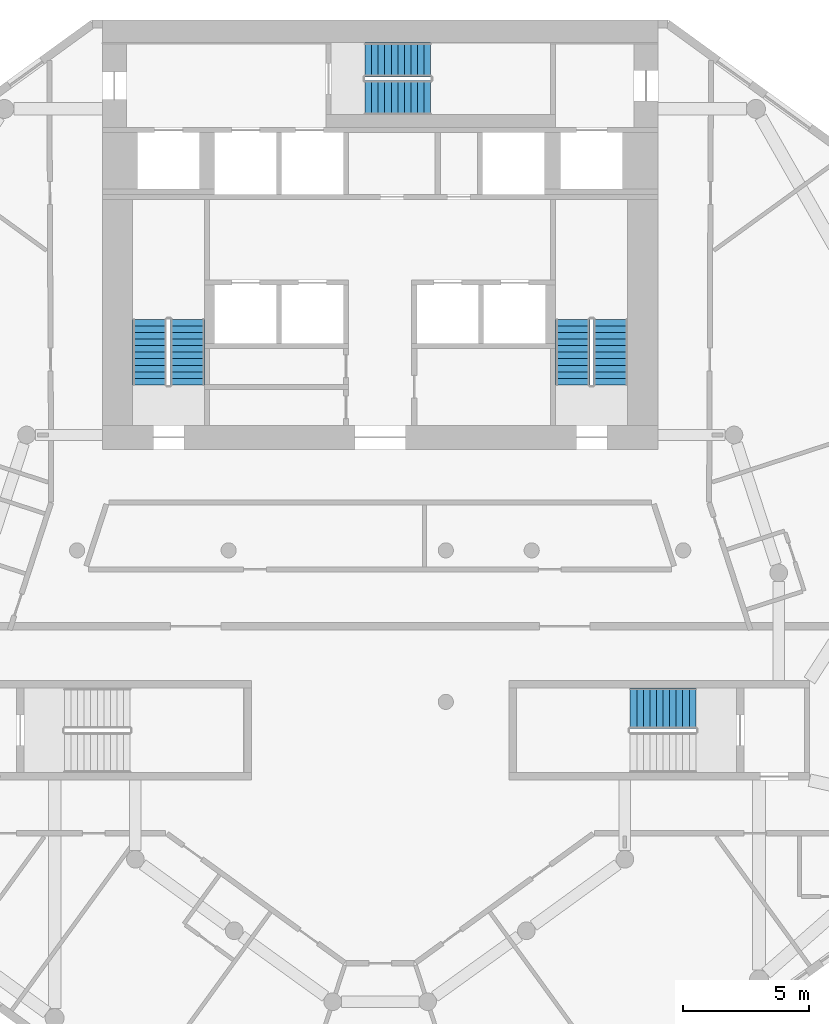
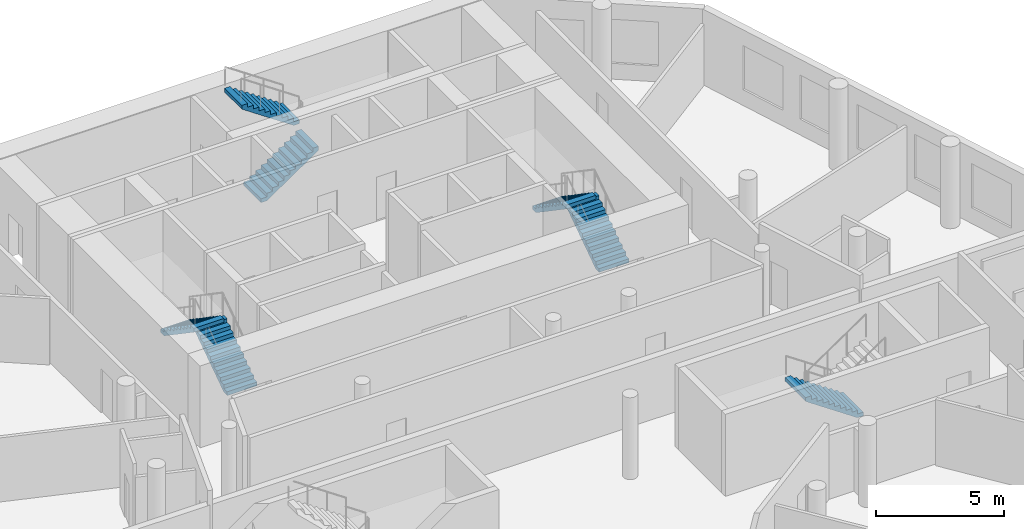
# One storey, part 7 of 9: 7 stair flights, 4 elements without a shape of their own.
"""IFC4 building model written with IfcOpenShell, lengths in metres."""

from ifc_helpers import new_model, si_unit, direction, frame, origin, place, context, subcontext, project, spatial, polyline, outline, extrude, material, layer, layer_set, type_object, element, aggregate, save


model = new_model("IFC4")

# Units and contexts
model_context = context("Model", 3, precision=1e-05, world=origin(), true_north=direction((0.0, 1.0)))
body_context = subcontext(model_context, "Body", "Model", "MODEL_VIEW")
ifc_project = project(units=[si_unit("LENGTHUNIT", "METRE"), si_unit("AREAUNIT", "SQUARE_METRE"), si_unit("VOLUMEUNIT", "CUBIC_METRE"), si_unit("PLANEANGLEUNIT", "RADIAN"), si_unit("MASSUNIT", "GRAM", prefix="KILO")], contexts=[model_context])

# Site, building, storey
site_placement = place(None, origin())
site = spatial("IfcSite", under=ifc_project, at=site_placement, CompositionType="ELEMENT")
building_placement = place(site_placement, origin())
building = spatial("IfcBuilding", under=site, at=building_placement, Name="White Candle Pilgrim Tower", CompositionType="ELEMENT")
storey_placement = place(building_placement, frame((0.0, 0.0, 179.800048828125)))
storey = spatial("IfcBuildingStorey", under=building, at=storey_placement, Name="L41", CompositionType="ELEMENT", Elevation=179.800048828125)

# Stair, stair flights
ifc_material = material(Name="Concrete C40/50", Category="concrete")
stair_type_1 = type_object("IfcStairType", Name="Exit stair 1 flight width 1350 mm", PredefinedType="HALF_TURN_STAIR", material=ifc_material)
stair_1_placement = place(storey_placement, origin())
stair_1 = element("IfcStair", 1, at=stair_1_placement, inside=storey, type_object=stair_type_1, Name="L41 stair 1", PredefinedType="NOTDEFINED")
ifc_layer = layer(ifc_material, 0.14990234375)
ifc_layer_set = layer_set([ifc_layer], Name="Stair flight Concrete C40/50")
stair_flight_type = type_object("IfcStairFlightType", Name="Stair flight Concrete C40/50", PredefinedType="STRAIGHT", material=ifc_layer_set)
stair_flight_1_placement = place(storey_placement, frame((62.375, 73.550048828125, 0.0), z_axis=(0.0, 0.0, 1.0), x_axis=(0.0, 1.0, 0.0)))
stair_flight_1 = element("IfcStairFlight", 2, at=stair_flight_1_placement, type_object=stair_flight_type, Name="ST1 flight 1", NumberOfRisers=11, NumberOfTreads=10, PredefinedType="NOTDEFINED", RiserHeight=0.177272727, TreadLength=0.26, context=body_context, shape_type="SweptSolid", body=[
    extrude(outline(polyline([(0.0, 0.0), (0.0, 0.17724609375), (0.260009765625, 0.17724609375), (0.260009765625, 0.3544921875), (0.52001953125, 0.3544921875), (0.52001953125, 0.53173828125), (0.780029296875, 0.53173828125), (0.780029296875, 0.708984375), (1.0400390625, 0.708984375), (1.0400390625, 0.886474609375), (1.300048828125, 0.886474609375), (1.300048828125, 1.063720703125), (1.56005859375, 1.063720703125), (1.56005859375, 1.240966796875), (1.820068359375, 1.240966796875), (1.820068359375, 1.418212890625), (2.080078125, 1.418212890625), (2.080078125, 1.595458984375), (2.340087890625, 1.595458984375), (2.340087890625, 1.772705078125), (2.60009765625, 1.772705078125), (2.60009765625, 1.949951171875), (2.60009765625, 1.59130859375), (0.26611328125, 0.0), (0.0, 0.0)])), frame((0.0, 0.675048828125, 0.0), z_axis=(0.0, -1.0, 0.0), x_axis=(1.0, 0.0, 0.0)), (0.0, 0.0, 1.0), 1.35009765625),
])
stair_flight_2_placement = place(storey_placement, frame((60.875, 76.14990234375, 1.949951171875), z_axis=(0.0, 0.0, 1.0), x_axis=(0.0, -1.0, 0.0)))
stair_flight_2 = element("IfcStairFlight", 3, at=stair_flight_2_placement, type_object=stair_flight_type, Name="ST1 flight 2", NumberOfRisers=11, NumberOfTreads=10, PredefinedType="NOTDEFINED", RiserHeight=0.177272727, TreadLength=0.26, context=body_context, shape_type="SweptSolid", body=[
    extrude(outline(polyline([(0.0, 0.0), (0.0, 0.17724609375), (0.260009765625, 0.17724609375), (0.260009765625, 0.3544921875), (0.52001953125, 0.3544921875), (0.52001953125, 0.53173828125), (0.780029296875, 0.53173828125), (0.780029296875, 0.708984375), (1.0400390625, 0.708984375), (1.0400390625, 0.886474609375), (1.300048828125, 0.886474609375), (1.300048828125, 1.063720703125), (1.56005859375, 1.063720703125), (1.56005859375, 1.240966796875), (1.820068359375, 1.240966796875), (1.820068359375, 1.418212890625), (2.080078125, 1.418212890625), (2.080078125, 1.595458984375), (2.340087890625, 1.595458984375), (2.340087890625, 1.772705078125), (2.60009765625, 1.772705078125), (2.60009765625, 1.949951171875), (2.60009765625, 1.59130859375), (0.26611328125, 0.0), (0.0, 0.0)])), frame((0.0, 0.675048828125, 0.0), z_axis=(0.0, -1.0, 0.0), x_axis=(1.0, 0.0, 0.0)), (0.0, 0.0, 1.0), 1.35009765625),
])
aggregate(stair_1, [stair_flight_1, stair_flight_2])

stair_type_2 = type_object("IfcStairType", Name="Exit stair 2 flight width 1350 mm", PredefinedType="HALF_TURN_STAIR", material=ifc_material)
stair_2_placement = place(storey_placement, origin())
stair_2 = element("IfcStair", 4, at=stair_2_placement, inside=storey, type_object=stair_type_2, Name="L41 stair 2", PredefinedType="NOTDEFINED")
stair_flight_3_placement = place(storey_placement, frame((79.125, 73.550048828125, 0.0), z_axis=(0.0, 0.0, 1.0), x_axis=(0.0, 1.0, 0.0)))
stair_flight_3 = element("IfcStairFlight", 5, at=stair_flight_3_placement, type_object=stair_flight_type, Name="ST2 flight 1", NumberOfRisers=11, NumberOfTreads=10, PredefinedType="NOTDEFINED", RiserHeight=0.177272727, TreadLength=0.26, context=body_context, shape_type="SweptSolid", body=[
    extrude(outline(polyline([(0.0, 0.0), (0.0, 0.17724609375), (0.260009765625, 0.17724609375), (0.260009765625, 0.3544921875), (0.52001953125, 0.3544921875), (0.52001953125, 0.53173828125), (0.780029296875, 0.53173828125), (0.780029296875, 0.708984375), (1.0400390625, 0.708984375), (1.0400390625, 0.886474609375), (1.300048828125, 0.886474609375), (1.300048828125, 1.063720703125), (1.56005859375, 1.063720703125), (1.56005859375, 1.240966796875), (1.820068359375, 1.240966796875), (1.820068359375, 1.418212890625), (2.080078125, 1.418212890625), (2.080078125, 1.595458984375), (2.340087890625, 1.595458984375), (2.340087890625, 1.772705078125), (2.60009765625, 1.772705078125), (2.60009765625, 1.949951171875), (2.60009765625, 1.59130859375), (0.26611328125, 0.0), (0.0, 0.0)])), frame((0.0, 0.675048828125, 0.0), z_axis=(0.0, -1.0, 0.0), x_axis=(1.0, 0.0, 0.0)), (0.0, 0.0, 1.0), 1.35009765625),
])
stair_flight_4_placement = place(storey_placement, frame((77.625, 76.14990234375, 1.949951171875), z_axis=(0.0, 0.0, 1.0), x_axis=(0.0, -1.0, 0.0)))
stair_flight_4 = element("IfcStairFlight", 6, at=stair_flight_4_placement, type_object=stair_flight_type, Name="ST2 flight 2", NumberOfRisers=11, NumberOfTreads=10, PredefinedType="NOTDEFINED", RiserHeight=0.177272727, TreadLength=0.26, context=body_context, shape_type="SweptSolid", body=[
    extrude(outline(polyline([(0.0, 0.0), (0.0, 0.17724609375), (0.260009765625, 0.17724609375), (0.260009765625, 0.3544921875), (0.52001953125, 0.3544921875), (0.52001953125, 0.53173828125), (0.780029296875, 0.53173828125), (0.780029296875, 0.708984375), (1.0400390625, 0.708984375), (1.0400390625, 0.886474609375), (1.300048828125, 0.886474609375), (1.300048828125, 1.063720703125), (1.56005859375, 1.063720703125), (1.56005859375, 1.240966796875), (1.820068359375, 1.240966796875), (1.820068359375, 1.418212890625), (2.080078125, 1.418212890625), (2.080078125, 1.595458984375), (2.340087890625, 1.595458984375), (2.340087890625, 1.772705078125), (2.60009765625, 1.772705078125), (2.60009765625, 1.949951171875), (2.60009765625, 1.59130859375), (0.26611328125, 0.0), (0.0, 0.0)])), frame((0.0, 0.675048828125, 0.0), z_axis=(0.0, -1.0, 0.0), x_axis=(1.0, 0.0, 0.0)), (0.0, 0.0, 1.0), 1.35009765625),
])
aggregate(stair_2, [stair_flight_3, stair_flight_4])

stair_type_3 = type_object("IfcStairType", Name="Exit stair 3 flight width 1350 mm", PredefinedType="HALF_TURN_STAIR", material=ifc_material)
stair_3_placement = place(storey_placement, origin())
stair_3 = element("IfcStair", 7, at=stair_3_placement, inside=storey, type_object=stair_type_3, Name="L41 stair 3", PredefinedType="NOTDEFINED")
stair_flight_5_placement = place(storey_placement, frame((69.39990234375, 84.925048828125, 0.0), z_axis=(0.0, 0.0, 1.0), x_axis=(1.0, 0.0, 0.0)))
stair_flight_5 = element("IfcStairFlight", 8, at=stair_flight_5_placement, type_object=stair_flight_type, Name="ST3 flight 1", NumberOfRisers=11, NumberOfTreads=10, PredefinedType="NOTDEFINED", RiserHeight=0.177272727, TreadLength=0.26, context=body_context, shape_type="SweptSolid", body=[
    extrude(outline(polyline([(0.0, 0.0), (0.0, 0.17724609375), (0.260009765625, 0.17724609375), (0.260009765625, 0.3544921875), (0.52001953125, 0.3544921875), (0.52001953125, 0.53173828125), (0.780029296875, 0.53173828125), (0.780029296875, 0.708984375), (1.0400390625, 0.708984375), (1.0400390625, 0.886474609375), (1.300048828125, 0.886474609375), (1.300048828125, 1.063720703125), (1.56005859375, 1.063720703125), (1.56005859375, 1.240966796875), (1.820068359375, 1.240966796875), (1.820068359375, 1.418212890625), (2.080078125, 1.418212890625), (2.080078125, 1.595458984375), (2.340087890625, 1.595458984375), (2.340087890625, 1.772705078125), (2.60009765625, 1.772705078125), (2.60009765625, 1.949951171875), (2.60009765625, 1.59130859375), (0.26611328125, 0.0), (0.0, 0.0)])), frame((0.0, 0.675048828125, 0.0), z_axis=(0.0, -1.0, 0.0), x_axis=(1.0, 0.0, 0.0)), (0.0, 0.0, 1.0), 1.35009765625),
])
stair_flight_6_placement = place(storey_placement, frame((72.0, 86.425048828125, 1.949951171875), z_axis=(0.0, 0.0, 1.0), x_axis=(-1.0, 0.0, 0.0)))
stair_flight_6 = element("IfcStairFlight", 9, at=stair_flight_6_placement, type_object=stair_flight_type, Name="ST3 flight 2", NumberOfRisers=11, NumberOfTreads=10, PredefinedType="NOTDEFINED", RiserHeight=0.177272727, TreadLength=0.26, context=body_context, shape_type="SweptSolid", body=[
    extrude(outline(polyline([(0.0, 0.0), (0.0, 0.17724609375), (0.260009765625, 0.17724609375), (0.260009765625, 0.3544921875), (0.52001953125, 0.3544921875), (0.52001953125, 0.53173828125), (0.780029296875, 0.53173828125), (0.780029296875, 0.708984375), (1.0400390625, 0.708984375), (1.0400390625, 0.886474609375), (1.300048828125, 0.886474609375), (1.300048828125, 1.063720703125), (1.56005859375, 1.063720703125), (1.56005859375, 1.240966796875), (1.820068359375, 1.240966796875), (1.820068359375, 1.418212890625), (2.080078125, 1.418212890625), (2.080078125, 1.595458984375), (2.340087890625, 1.595458984375), (2.340087890625, 1.772705078125), (2.60009765625, 1.772705078125), (2.60009765625, 1.949951171875), (2.60009765625, 1.59130859375), (0.26611328125, 0.0), (0.0, 0.0)])), frame((0.0, 0.675048828125, 0.0), z_axis=(0.0, -1.0, 0.0), x_axis=(1.0, 0.0, 0.0)), (0.0, 0.0, 1.0), 1.35009765625),
])
aggregate(stair_3, [stair_flight_5, stair_flight_6])

# Stair, stair flight
stair_type_4 = type_object("IfcStairType", Name="Exit stair 4 flight width 1600 mm", PredefinedType="HALF_TURN_STAIR", material=ifc_material)
stair_4_placement = place(storey_placement, origin())
stair_4 = element("IfcStair", 10, at=stair_4_placement, inside=storey, type_object=stair_type_4, Name="L41 stair 4", PredefinedType="NOTDEFINED")
stair_flight_7_placement = place(storey_placement, frame((82.5, 60.75, 0.0), z_axis=(0.0, 0.0, 1.0), x_axis=(-1.0, 0.0, 0.0)))
stair_flight_7 = element("IfcStairFlight", 11, at=stair_flight_7_placement, type_object=stair_flight_type, Name="ST4 flight 1", NumberOfRisers=11, NumberOfTreads=10, PredefinedType="NOTDEFINED", RiserHeight=0.177272727, TreadLength=0.26, context=body_context, shape_type="SweptSolid", body=[
    extrude(outline(polyline([(0.0, 0.0), (0.0, 0.17724609375), (0.260009765625, 0.17724609375), (0.260009765625, 0.3544921875), (0.52001953125, 0.3544921875), (0.52001953125, 0.53173828125), (0.780029296875, 0.53173828125), (0.780029296875, 0.708984375), (1.0400390625, 0.708984375), (1.0400390625, 0.886474609375), (1.300048828125, 0.886474609375), (1.300048828125, 1.063720703125), (1.56005859375, 1.063720703125), (1.56005859375, 1.240966796875), (1.820068359375, 1.240966796875), (1.820068359375, 1.418212890625), (2.080078125, 1.418212890625), (2.080078125, 1.595458984375), (2.340087890625, 1.595458984375), (2.340087890625, 1.772705078125), (2.60009765625, 1.772705078125), (2.60009765625, 1.949951171875), (2.60009765625, 1.59130859375), (0.26611328125, 0.0), (0.0, 0.0)])), frame((0.0, 0.800048828125, 0.0), z_axis=(0.0, -1.0, 0.0), x_axis=(1.0, 0.0, 0.0)), (0.0, 0.0, 1.0), 1.60009765625),
])
aggregate(stair_4, [stair_flight_7])

save(model, "model.ifc")
